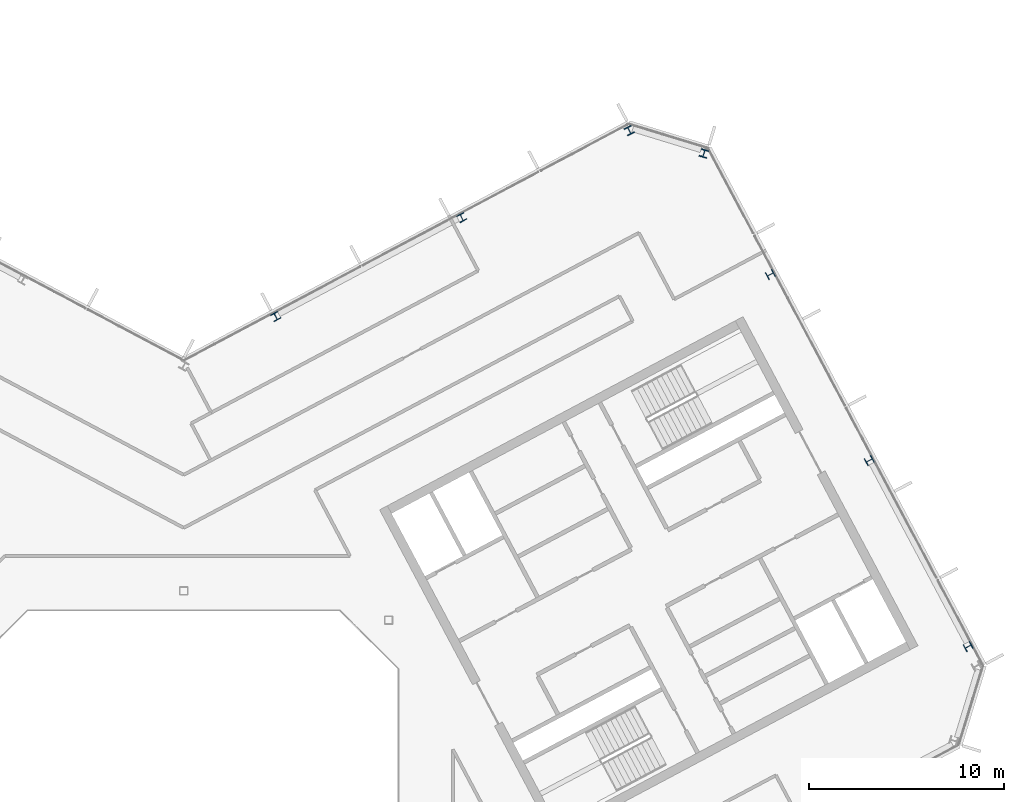
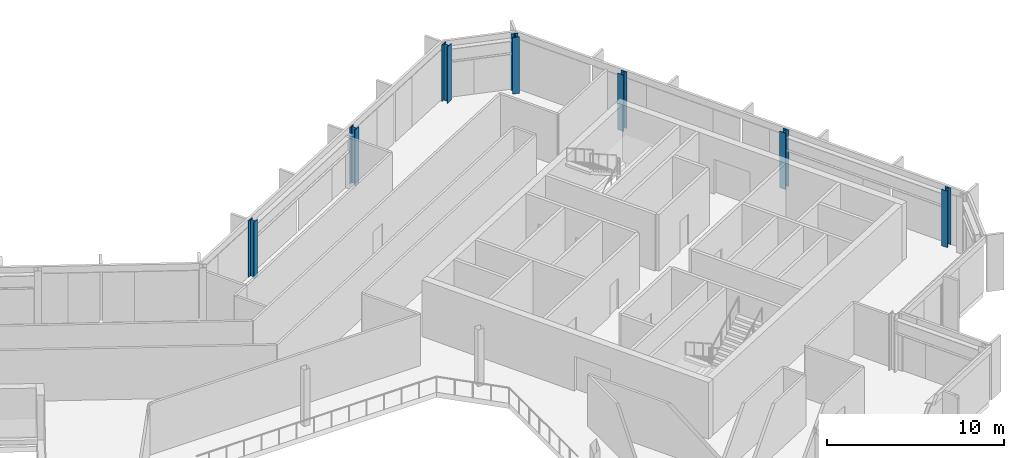
# One storey, part 7 of 26: 7 columns.
"""IFC4 building model written with IfcOpenShell, lengths in metres."""

import ifcopenshell
import ifcopenshell.guid

model = None  # the IFC model being written
_history = None  # IfcOwnerHistory: only IFC2X3 demands one
_inside = {}  # id of a spatial element -> (the spatial element, [elements in it])
_under = {}  # id of a project, library or spatial element -> (it, [spatial elements below it])
_declared = {}  # id of a project -> (the project, [libraries it declares])
_typed = {}  # id of a type object -> (the type object, [elements of that type])
_made_of = {}  # id of a material, layer set ... -> (it, [elements and type objects made of it])


def new_model(schema):
    """Start an empty IFC model of exactly this schema.

    Asked for "IFC4X3", IfcOpenShell would pick the latest addendum, in which some entities
    have other attributes; the version numbers below select the first issue.
    IFC2X3 requires an IfcOwnerHistory on every rooted entity: one is made here for all.
    """
    global model, _history
    if schema == "IFC4X3":
        model = ifcopenshell.file(schema_version=(4, 3, 0, 0))
    else:
        model = ifcopenshell.file(schema=schema)
    _inside.clear()
    _under.clear()
    _declared.clear()
    _typed.clear()
    _made_of.clear()
    _history = None
    if model.schema == "IFC2X3":
        org = make("IfcOrganization", Name="unknown")
        user = make(
            "IfcPersonAndOrganization",
            ThePerson=make("IfcPerson", FamilyName="unknown"),
            TheOrganization=org,
        )
        app = make(
            "IfcApplication",
            ApplicationDeveloper=org,
            Version="unknown",
            ApplicationFullName="unknown",
            ApplicationIdentifier="unknown",
        )
        _history = make(
            "IfcOwnerHistory",
            OwningUser=user,
            OwningApplication=app,
            ChangeAction="ADDED",
            CreationDate=0,
        )
    return model


def make(cls, **values):
    """One entity of the class cls with the attributes given. An attribute that is None is left unset."""
    return model.create_entity(
        cls, **{name: value for name, value in values.items() if value is not None}
    )


def rooted(cls, **values):
    """An entity with a GlobalId (a new one), such as an element, a storey or a relation."""
    return make(cls, GlobalId=ifcopenshell.guid.new(), OwnerHistory=_history, **values)


def si_unit(unit_type, name, prefix=None):
    """IfcSIUnit, for example si_unit("LENGTHUNIT", "METRE", prefix="MILLI")."""
    return make("IfcSIUnit", UnitType=unit_type, Prefix=prefix, Name=name)


def assignment(units):
    """IfcUnitAssignment: the units of a project."""
    return None if units is None else make("IfcUnitAssignment", Units=units)


def point(xyz):
    """IfcCartesianPoint."""
    return None if xyz is None else make("IfcCartesianPoint", Coordinates=xyz)


def direction(xyz):
    """IfcDirection."""
    return None if xyz is None else make("IfcDirection", DirectionRatios=xyz)


def frame(location, z_axis=None, x_axis=None):
    """IfcAxis2Placement3D, a coordinate frame: its origin and axes. An axis left out is left unset."""
    return make(
        "IfcAxis2Placement3D",
        Location=point(location),
        Axis=direction(z_axis),
        RefDirection=direction(x_axis),
    )


def frame_2d(location, x_axis=None):
    """IfcAxis2Placement2D, a coordinate frame in the plane: its origin and x axis."""
    return make(
        "IfcAxis2Placement2D", Location=point(location), RefDirection=direction(x_axis)
    )


def origin():
    """The frame at (0, 0, 0) with its axes left unset."""
    return frame((0.0, 0.0, 0.0))


def origin_2d():
    """The frame at (0, 0) in the plane with its x axis left unset."""
    return frame_2d((0.0, 0.0))


def place(relative_to, where):
    """IfcLocalPlacement: puts the frame where relative to a parent placement (None: the world)."""
    return make(
        "IfcLocalPlacement", PlacementRelTo=relative_to, RelativePlacement=where
    )


def context(
    kind, dimensions, precision=None, world=None, true_north=None, identifier=None
):
    """IfcGeometricRepresentationContext, for example the 3D "Model" context."""
    return make(
        "IfcGeometricRepresentationContext",
        ContextIdentifier=identifier,
        ContextType=kind,
        CoordinateSpaceDimension=dimensions,
        Precision=precision,
        WorldCoordinateSystem=world,
        TrueNorth=true_north,
    )


def subcontext(parent, identifier, kind, view, scale=None):
    """IfcGeometricRepresentationSubContext, for example "Body" below "Model"."""
    return make(
        "IfcGeometricRepresentationSubContext",
        ContextIdentifier=identifier,
        ContextType=kind,
        ParentContext=parent,
        TargetScale=scale,
        TargetView=view,
    )


def project(units=None, contexts=None):
    """IfcProject with its units and contexts."""
    return rooted(
        "IfcProject",
        Name="project",
        RepresentationContexts=contexts,
        UnitsInContext=assignment(units),
    )


def spatial(cls, under=None, at=None, **own):
    """A site, building, storey or space (cls), placed at a placement, below another one or the project."""
    s = rooted(cls, ObjectPlacement=at, **own)
    if under is not None:
        _under.setdefault(under.id(), (under, []))[1].append(s)
    return s


def profile(cls, at=None, kind="AREA", **sizes):
    """A parametric profile (cls). Its sizes go by their IFC names, for example OverallWidth=200.0."""
    return make(cls, ProfileType=kind, Position=at, **sizes)


def i_section(**sizes):
    """IfcIShapeProfileDef."""
    return profile("IfcIShapeProfileDef", **sizes)


def extrude(swept, where, along, depth):
    """IfcExtrudedAreaSolid: the profile swept, set in the frame where, extruded along a direction by depth."""
    return make(
        "IfcExtrudedAreaSolid",
        SweptArea=swept,
        Position=where,
        ExtrudedDirection=direction(along),
        Depth=depth,
    )


def shape(context_of_items, identifier, shape_type, items):
    """IfcShapeRepresentation: the items that make up one representation, for example the "Body"."""
    return make(
        "IfcShapeRepresentation",
        ContextOfItems=context_of_items,
        RepresentationIdentifier=identifier,
        RepresentationType=shape_type,
        Items=items,
    )


def material(Name=None, Category=None):
    """IfcMaterial."""
    return make("IfcMaterial", Name=Name, Category=Category)


def material_profile(
    of_material, cross_section, Name=None, Category=None, Priority=None
):
    """IfcMaterialProfile: a cross section and its material."""
    return make(
        "IfcMaterialProfile",
        Name=Name,
        Material=of_material,
        Profile=cross_section,
        Priority=Priority,
        Category=Category,
    )


def profile_set(profiles, Name=None, composite=None):
    """IfcMaterialProfileSet."""
    return make(
        "IfcMaterialProfileSet",
        Name=Name,
        MaterialProfiles=profiles,
        CompositeProfile=composite,
    )


def made_of(thing, what):
    """Note that an element or type object is made of a material, layer set ...; save() writes the relation."""
    if what is not None:
        _made_of.setdefault(what.id(), (what, []))[1].append(thing)
    return thing


def type_object(cls, material=None, **own):
    """A type object (cls), such as IfcWallType, which elements share."""
    return made_of(rooted(cls, **own), material)


def element(
    cls,
    number,
    at=None,
    inside=None,
    cuts=None,
    type_object=None,
    material=None,
    context=None,
    identifier="Body",
    shape_type=None,
    held_by="IfcProductDefinitionShape",
    body=None,
    shapes=None,
    **own,
):
    """One element of the class cls, such as IfcWall. Its Tag is "e" and its number.

    at: its placement. inside: the storey or other place that contains it. cuts: it is an
    opening in that element (IfcRelVoidsElement). A single representation is given by context,
    identifier, shape_type and body (its items); several are given by shapes. held_by: the class
    of the entity that holds the representations. save() writes the other relations.
    """
    e = rooted(cls, Tag="e%d" % number, ObjectPlacement=at, **own)
    if body is not None:
        shapes = [shape(context, identifier, shape_type, body)]
    if shapes is not None:
        e.Representation = make(held_by, Representations=shapes)
    if inside is not None:
        _inside.setdefault(inside.id(), (inside, []))[1].append(e)
    if cuts is not None:
        rooted(
            "IfcRelVoidsElement", RelatingBuildingElement=cuts, RelatedOpeningElement=e
        )
    if type_object is not None:
        _typed.setdefault(type_object.id(), (type_object, []))[1].append(e)
    return made_of(e, material)


def aggregate(whole, parts):
    """IfcRelAggregates: a whole, such as a stair, and the parts it consists of."""
    return rooted("IfcRelAggregates", RelatingObject=whole, RelatedObjects=parts)


def save(model, path):
    """Write the relations noted so far, then the file.

    IfcRelAggregates (storeys below a building ...), IfcRelContainedInSpatialStructure (elements
    in a storey), IfcRelDefinesByType, IfcRelAssociatesMaterial and IfcRelDeclares: one each for
    every whole, place, type object, material and project.
    """
    for whole, parts in _under.values():
        aggregate(whole, parts)
    for where, things in _inside.values():
        rooted(
            "IfcRelContainedInSpatialStructure",
            RelatedElements=things,
            RelatingStructure=where,
        )
    for kind, things in _typed.values():
        rooted("IfcRelDefinesByType", RelatedObjects=things, RelatingType=kind)
    for what, things in _made_of.values():
        rooted("IfcRelAssociatesMaterial", RelatedObjects=things, RelatingMaterial=what)
    for by, libraries in _declared.values():
        rooted("IfcRelDeclares", RelatingContext=by, RelatedDefinitions=libraries)
    model.write(path)


model = new_model("IFC4")

# Units and contexts
model_context = context("Model", 3, precision=1e-05, world=origin(), true_north=direction((0.0, 1.0)))
body_context = subcontext(model_context, "Body", "Model", "MODEL_VIEW")
ifc_project = project(units=[si_unit("LENGTHUNIT", "METRE"), si_unit("AREAUNIT", "SQUARE_METRE"), si_unit("VOLUMEUNIT", "CUBIC_METRE"), si_unit("PLANEANGLEUNIT", "RADIAN"), si_unit("MASSUNIT", "GRAM", prefix="KILO")], contexts=[model_context])

# Site, building, storey
site_placement = place(None, origin())
site = spatial("IfcSite", under=ifc_project, at=site_placement, CompositionType="ELEMENT")
building_placement = place(site_placement, origin())
building = spatial("IfcBuilding", under=site, at=building_placement, Name="Cormorant Relay Tower", CompositionType="ELEMENT")
storey_placement = place(building_placement, frame((0.0, 0.0, 308.699951171875)))
storey = spatial("IfcBuildingStorey", under=building, at=storey_placement, Name="L70", CompositionType="ELEMENT", Elevation=308.699951171875)

# Columns
ifc_material_1 = material(Name="Steel ASTM A992 (Fy 345 MPa)", Category="steel")
ifc_material_profile_1 = material_profile(ifc_material_1, i_section(OverallWidth=0.398681640625, OverallDepth=0.385986328125, WebThickness=0.02099609375, FlangeThickness=0.033203125, FilletRadius=0.01513671875, at=origin_2d()), Name="W360x262")
ifc_profile_set_1 = profile_set([ifc_material_profile_1], Name="Steel ASTM A992 (Fy 345 MPa)")
column_type_1 = type_object("IfcColumnType", Name="Column W360x262", PredefinedType="COLUMN", material=ifc_profile_set_1)
for number, where, z_axis, x_axis, name in (
    (1, (40.2119140625, 9.14892578125, 0.0), (0.0, 0.0, 1.0), (-0.469471562786, 0.882947592859, 0.0), "Column L70-021"),
    (2, (35.14111328125, 18.68505859375, 0.0), (0.0, 0.0, 1.0), (-0.469471562786, 0.882947592859, 0.0), "Column L70-027"),
    (3, (4.715087890625, 26.06494140625, 0.0), (0.0, 0.0, 1.0), (-0.882947592859, -0.469471562786, 0.0), "Column L70-031"),
    (4, (30.071044921875, 28.220947265625, 0.0), (0.0, 0.0, 1.0), (-0.469471562786, 0.882947592859, 0.0), "Column L70-033"),
    (5, (14.2509765625, 31.135009765625, 0.0), (0.0, 0.0, 1.0), (-0.882947592859, -0.469471562786, 0.0), "Column L70-035"),
):
    element("IfcColumn", number, at=place(storey_placement, frame(where, z_axis=z_axis, x_axis=x_axis)), inside=storey, type_object=column_type_1, Name=name, PredefinedType="COLUMN", context=body_context, shape_type="SweptSolid", body=[
        extrude(i_section(OverallWidth=0.398681640625, OverallDepth=0.385986328125, WebThickness=0.02099609375, FlangeThickness=0.033203125, FilletRadius=0.01513671875, at=origin_2d()), origin(), (0.0, 0.0, 1.0), 3.900146484375),
    ])
ifc_material_2 = material(Name="Steel ASTM A992 (Fy 345 MPa)", Category="steel")
ifc_material_profile_2 = material_profile(ifc_material_2, i_section(OverallWidth=0.40380859375, OverallDepth=0.406494140625, WebThickness=0.027099609375, FlangeThickness=0.043701171875, FilletRadius=0.01513671875, at=origin_2d()), Name="W360x347")
ifc_profile_set_2 = profile_set([ifc_material_profile_2], Name="Steel ASTM A992 (Fy 345 MPa)")
column_type_2 = type_object("IfcColumnType", Name="Column W360x347", PredefinedType="COLUMN", material=ifc_profile_set_2)
for number, where, z_axis, x_axis, name in (
    (6, (26.6640625, 34.425048828125, 0.0), (0.0, 0.0, 1.0), (-0.956304755963, 0.292371704723, 0.0), "Column L70-038"),
    (7, (22.841064453125, 35.593994140625, 0.0), (0.0, 0.0, 1.0), (-0.882947592859, -0.469471562786, 0.0), "Column L70-039"),
):
    element("IfcColumn", number, at=place(storey_placement, frame(where, z_axis=z_axis, x_axis=x_axis)), inside=storey, type_object=column_type_2, Name=name, PredefinedType="COLUMN", context=body_context, shape_type="SweptSolid", body=[
        extrude(i_section(OverallWidth=0.40380859375, OverallDepth=0.406494140625, WebThickness=0.027099609375, FlangeThickness=0.043701171875, FilletRadius=0.01513671875, at=origin_2d()), origin(), (0.0, 0.0, 1.0), 3.900146484375),
    ])

save(model, "model.ifc")
